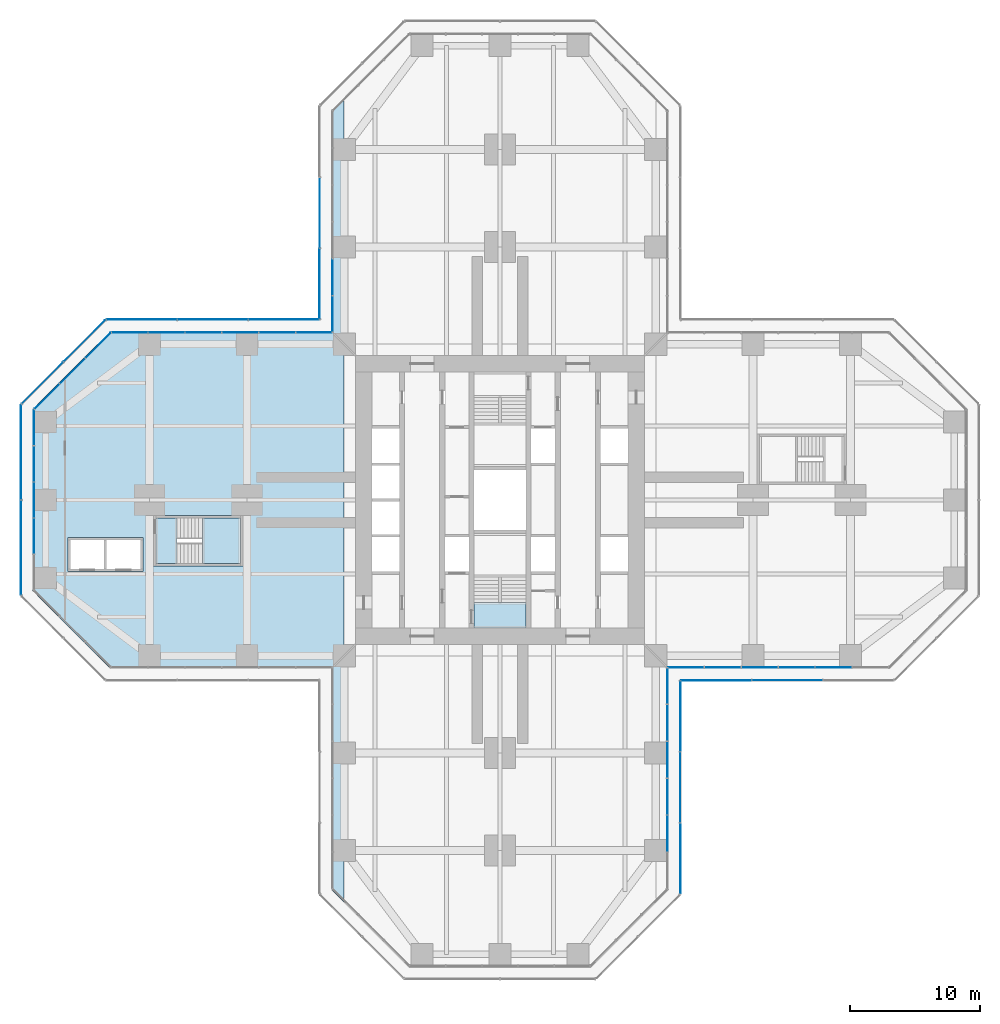
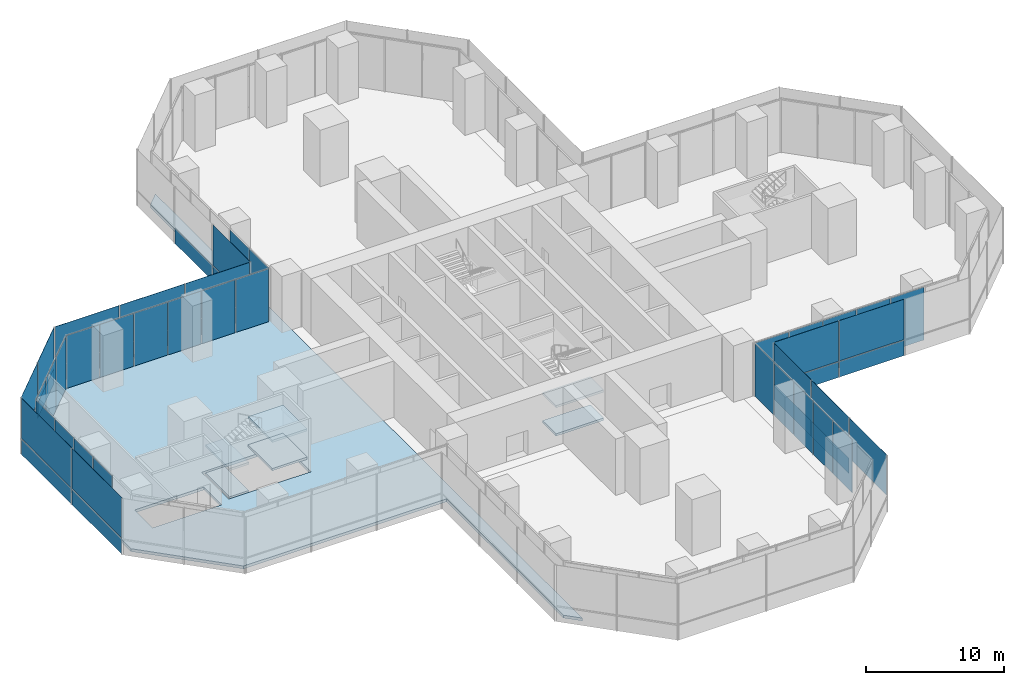
# One storey, part 14 of 23: 51 plates, 7 slabs, 14 elements without a shape of their own.
"""IFC4 building model written with IfcOpenShell, lengths in metres."""

from ifc_helpers import new_model, si_unit, direction, frame, origin, origin_2d, place, context, subcontext, project, spatial, polyline, rectangle, outline, extrude, material, layer, layer_set, type_object, element, aggregate, save


model = new_model("IFC4")

# Units and contexts
model_context = context("Model", 3, precision=1e-05, world=origin(), true_north=direction((0.0, 1.0)))
body_context = subcontext(model_context, "Body", "Model", "MODEL_VIEW")
ifc_project = project(units=[si_unit("LENGTHUNIT", "METRE"), si_unit("AREAUNIT", "SQUARE_METRE"), si_unit("VOLUMEUNIT", "CUBIC_METRE"), si_unit("PLANEANGLEUNIT", "RADIAN"), si_unit("MASSUNIT", "GRAM", prefix="KILO")], contexts=[model_context])

# Site, building, storey
site_placement = place(None, origin())
site = spatial("IfcSite", under=ifc_project, at=site_placement, CompositionType="ELEMENT")
building_placement = place(site_placement, origin())
building = spatial("IfcBuilding", under=site, at=building_placement, Name="Mizan Broadcast Tower", CompositionType="ELEMENT")
storey_placement = place(building_placement, frame((0.0, 0.0, 23.0)))
storey = spatial("IfcBuildingStorey", under=building, at=storey_placement, Name="L03", CompositionType="ELEMENT", Elevation=23.0)

# Curtain wall, plates
ifc_material_1 = material(Name="Aluminium framed glazing", Category="aluminium")
curtain_wall_type_1 = type_object("IfcCurtainWallType", Name="OUTER SKIN", PredefinedType="USERDEFINED", material=ifc_material_1)
curtain_wall_1_placement = place(storey_placement, origin())
curtain_wall_1 = element("IfcCurtainWall", 1, at=curtain_wall_1_placement, inside=storey, type_object=curtain_wall_type_1, Name="Outer skin L03 E side", ObjectType="OUTER SKIN", PredefinedType="USERDEFINED")
ifc_material_2 = material(Name="Laminated clear glass", Category="glass")
ifc_layer_1 = layer(ifc_material_2, 0.02001953125)
ifc_layer_set_1 = layer_set([ifc_layer_1], Name="Laminated clear glass")
plate_type_1 = type_object("IfcPlateType", Name="OUTER SKIN CLEAR GLASS", PredefinedType="CURTAIN_PANEL", material=ifc_layer_set_1)
plate_1_placement = place(storey_placement, frame((16.66552734375, -13.89990234375, 0.0), z_axis=(0.0, 0.0, 1.0), x_axis=(1.0, 0.0, 0.0)))
plate_1 = element("IfcPlate", 2, at=plate_1_placement, type_object=plate_type_1, Name="Outer skin L03 E side panel 1.1", PredefinedType="CURTAIN_PANEL", context=body_context, shape_type="SweptSolid", body=[
    extrude(rectangle(XDim=5.370849609375, YDim=0.02001953125, at=origin_2d()), origin(), (0.0, 0.0, 1.0), 1.3701171875),
])
plate_2_placement = place(storey_placement, frame((16.66552734375, -13.89990234375, 1.43017578125), z_axis=(0.0, 0.0, 1.0), x_axis=(1.0, 0.0, 0.0)))
plate_2 = element("IfcPlate", 3, at=plate_2_placement, type_object=plate_type_1, Name="Outer skin L03 E side panel 1.2", PredefinedType="CURTAIN_PANEL", context=body_context, shape_type="SweptSolid", body=[
    extrude(rectangle(XDim=5.370849609375, YDim=0.02001953125, at=origin_2d()), origin(), (0.0, 0.0, 1.0), 3.570068359375),
])

curtain_wall_2_placement = place(storey_placement, origin())
curtain_wall_2 = element("IfcCurtainWall", 4, at=curtain_wall_2_placement, inside=storey, type_object=curtain_wall_type_1, Name="Outer skin L03 N side", ObjectType="OUTER SKIN", PredefinedType="USERDEFINED")
plate_3_placement = place(storey_placement, frame((-13.89990234375, 16.66552734375, 0.0), z_axis=(0.0, 0.0, 1.0), x_axis=(0.0, -1.0, 0.0)))
plate_3 = element("IfcPlate", 5, at=plate_3_placement, type_object=plate_type_1, Name="Outer skin L03 N side panel 3.1", PredefinedType="CURTAIN_PANEL", context=body_context, shape_type="SweptSolid", body=[
    extrude(rectangle(XDim=5.370849609375, YDim=0.02001953125, at=origin_2d()), origin(), (0.0, 0.0, 1.0), 1.3701171875),
])
plate_4_placement = place(storey_placement, frame((-13.89990234375, 16.66552734375, 1.43017578125), z_axis=(0.0, 0.0, 1.0), x_axis=(0.0, -1.0, 0.0)))
plate_4 = element("IfcPlate", 6, at=plate_4_placement, type_object=plate_type_1, Name="Outer skin L03 N side panel 3.2", PredefinedType="CURTAIN_PANEL", context=body_context, shape_type="SweptSolid", body=[
    extrude(rectangle(XDim=5.370849609375, YDim=0.02001953125, at=origin_2d()), origin(), (0.0, 0.0, 1.0), 3.570068359375),
])

curtain_wall_3_placement = place(storey_placement, origin())
curtain_wall_3 = element("IfcCurtainWall", 7, at=curtain_wall_3_placement, inside=storey, type_object=curtain_wall_type_1, Name="Outer skin L03 W side", ObjectType="OUTER SKIN", PredefinedType="USERDEFINED")
plate_5_placement = place(storey_placement, frame((-16.66552734375, 13.89990234375, 0.0), z_axis=(0.0, 0.0, 1.0), x_axis=(-1.0, 0.0, 0.0)))
plate_5 = element("IfcPlate", 8, at=plate_5_placement, type_object=plate_type_1, Name="Outer skin L03 W side panel 1.1", PredefinedType="CURTAIN_PANEL", context=body_context, shape_type="SweptSolid", body=[
    extrude(rectangle(XDim=5.370849609375, YDim=0.02001953125, at=origin_2d()), origin(), (0.0, 0.0, 1.0), 1.3701171875),
])
plate_6_placement = place(storey_placement, frame((-16.66552734375, 13.89990234375, 1.43017578125), z_axis=(0.0, 0.0, 1.0), x_axis=(-1.0, 0.0, 0.0)))
plate_6 = element("IfcPlate", 9, at=plate_6_placement, type_object=plate_type_1, Name="Outer skin L03 W side panel 1.2", PredefinedType="CURTAIN_PANEL", context=body_context, shape_type="SweptSolid", body=[
    extrude(rectangle(XDim=5.370849609375, YDim=0.02001953125, at=origin_2d()), origin(), (0.0, 0.0, 1.0), 3.570068359375),
])
plate_7_placement = place(storey_placement, frame((-22.136474609375, 13.89990234375, 0.0), z_axis=(0.0, 0.0, 1.0), x_axis=(-1.0, 0.0, 0.0)))
plate_7 = element("IfcPlate", 10, at=plate_7_placement, type_object=plate_type_1, Name="Outer skin L03 W side panel 2.1", PredefinedType="CURTAIN_PANEL", context=body_context, shape_type="SweptSolid", body=[
    extrude(rectangle(XDim=5.410888671875, YDim=0.02001953125, at=origin_2d()), origin(), (0.0, 0.0, 1.0), 1.3701171875),
])
plate_8_placement = place(storey_placement, frame((-22.136474609375, 13.89990234375, 1.43017578125), z_axis=(0.0, 0.0, 1.0), x_axis=(-1.0, 0.0, 0.0)))
plate_8 = element("IfcPlate", 11, at=plate_8_placement, type_object=plate_type_1, Name="Outer skin L03 W side panel 2.2", PredefinedType="CURTAIN_PANEL", context=body_context, shape_type="SweptSolid", body=[
    extrude(rectangle(XDim=5.410888671875, YDim=0.02001953125, at=origin_2d()), origin(), (0.0, 0.0, 1.0), 3.570068359375),
])
plate_9_placement = place(storey_placement, frame((-27.607421875, 13.89990234375, 0.0), z_axis=(0.0, 0.0, 1.0), x_axis=(-1.0, 0.0, 0.0)))
plate_9 = element("IfcPlate", 12, at=plate_9_placement, type_object=plate_type_1, Name="Outer skin L03 W side panel 3.1", PredefinedType="CURTAIN_PANEL", context=body_context, shape_type="SweptSolid", body=[
    extrude(rectangle(XDim=5.370849609375, YDim=0.02001953125, at=origin_2d()), origin(), (0.0, 0.0, 1.0), 1.3701171875),
])
plate_10_placement = place(storey_placement, frame((-27.607421875, 13.89990234375, 1.43017578125), z_axis=(0.0, 0.0, 1.0), x_axis=(-1.0, 0.0, 0.0)))
plate_10 = element("IfcPlate", 13, at=plate_10_placement, type_object=plate_type_1, Name="Outer skin L03 W side panel 3.2", PredefinedType="CURTAIN_PANEL", context=body_context, shape_type="SweptSolid", body=[
    extrude(rectangle(XDim=5.370849609375, YDim=0.02001953125, at=origin_2d()), origin(), (0.0, 0.0, 1.0), 3.570068359375),
])
aggregate(curtain_wall_3, [plate_5, plate_6, plate_7, plate_8, plate_9, plate_10])

curtain_wall_4_placement = place(storey_placement, origin())
curtain_wall_4 = element("IfcCurtainWall", 14, at=curtain_wall_4_placement, inside=storey, type_object=curtain_wall_type_1, Name="Outer skin L03 W chamfer", ObjectType="OUTER SKIN", PredefinedType="USERDEFINED")
plate_11_placement = place(storey_placement, frame((-32.018798828125, 12.254150390625, 0.0), z_axis=(0.0, 0.0, 1.0), x_axis=(-0.707106781187, -0.707106781187, 0.0)))
plate_11 = element("IfcPlate", 15, at=plate_11_placement, type_object=plate_type_1, Name="Outer skin L03 W chamfer panel 1.1", PredefinedType="CURTAIN_PANEL", context=body_context, shape_type="SweptSolid", body=[
    extrude(rectangle(XDim=4.495361328125, YDim=0.02001953125, at=origin_2d()), origin(), (0.0, 0.0, 1.0), 1.3701171875),
])
plate_12_placement = place(storey_placement, frame((-32.018798828125, 12.254150390625, 1.43017578125), z_axis=(0.0, 0.0, 1.0), x_axis=(-0.707106781187, -0.707106781187, 0.0)))
plate_12 = element("IfcPlate", 16, at=plate_12_placement, type_object=plate_type_1, Name="Outer skin L03 W chamfer panel 1.2", PredefinedType="CURTAIN_PANEL", context=body_context, shape_type="SweptSolid", body=[
    extrude(rectangle(XDim=4.495361328125, YDim=0.02001953125, at=origin_2d()), origin(), (0.0, 0.0, 1.0), 3.570068359375),
])

curtain_wall_5_placement = place(storey_placement, origin())
curtain_wall_5 = element("IfcCurtainWall", 17, at=curtain_wall_5_placement, inside=storey, type_object=curtain_wall_type_1, Name="Outer skin L03 W end", ObjectType="OUTER SKIN", PredefinedType="USERDEFINED")
plate_13_placement = place(storey_placement, frame((-36.89990234375, 3.66650390625, 0.0), z_axis=(0.0, 0.0, 1.0), x_axis=(0.0, -1.0, 0.0)))
plate_13 = element("IfcPlate", 18, at=plate_13_placement, type_object=plate_type_1, Name="Outer skin L03 W end panel 1.1", PredefinedType="CURTAIN_PANEL", context=body_context, shape_type="SweptSolid", body=[
    extrude(rectangle(XDim=7.252685546875, YDim=0.02001953125, at=origin_2d()), origin(), (0.0, 0.0, 1.0), 1.3701171875),
])
plate_14_placement = place(storey_placement, frame((-36.89990234375, 3.66650390625, 1.43017578125), z_axis=(0.0, 0.0, 1.0), x_axis=(0.0, -1.0, 0.0)))
plate_14 = element("IfcPlate", 19, at=plate_14_placement, type_object=plate_type_1, Name="Outer skin L03 W end panel 1.2", PredefinedType="CURTAIN_PANEL", context=body_context, shape_type="SweptSolid", body=[
    extrude(rectangle(XDim=7.252685546875, YDim=0.02001953125, at=origin_2d()), origin(), (0.0, 0.0, 1.0), 3.570068359375),
])

curtain_wall_6_placement = place(storey_placement, origin())
curtain_wall_6 = element("IfcCurtainWall", 20, at=curtain_wall_6_placement, inside=storey, type_object=curtain_wall_type_1, Name="Outer skin L03 S side", ObjectType="OUTER SKIN", PredefinedType="USERDEFINED")
plate_15_placement = place(storey_placement, frame((13.89990234375, -27.607421875, 1.43017578125), z_axis=(0.0, 0.0, 1.0), x_axis=(0.0, 1.0, 0.0)))
plate_15 = element("IfcPlate", 21, at=plate_15_placement, type_object=plate_type_1, Name="Outer skin L03 S side panel 1.2", PredefinedType="CURTAIN_PANEL", context=body_context, shape_type="SweptSolid", body=[
    extrude(rectangle(XDim=5.370849609375, YDim=0.02001953125, at=origin_2d()), origin(), (0.0, 0.0, 1.0), 3.570068359375),
])
plate_16_placement = place(storey_placement, frame((13.89990234375, -16.66552734375, 0.0), z_axis=(0.0, 0.0, 1.0), x_axis=(0.0, 1.0, 0.0)))
plate_16 = element("IfcPlate", 22, at=plate_16_placement, type_object=plate_type_1, Name="Outer skin L03 S side panel 3.1", PredefinedType="CURTAIN_PANEL", context=body_context, shape_type="SweptSolid", body=[
    extrude(rectangle(XDim=5.370849609375, YDim=0.02001953125, at=origin_2d()), origin(), (0.0, 0.0, 1.0), 1.3701171875),
])
plate_17_placement = place(storey_placement, frame((13.89990234375, -16.66552734375, 1.43017578125), z_axis=(0.0, 0.0, 1.0), x_axis=(0.0, 1.0, 0.0)))
plate_17 = element("IfcPlate", 23, at=plate_17_placement, type_object=plate_type_1, Name="Outer skin L03 S side panel 3.2", PredefinedType="CURTAIN_PANEL", context=body_context, shape_type="SweptSolid", body=[
    extrude(rectangle(XDim=5.370849609375, YDim=0.02001953125, at=origin_2d()), origin(), (0.0, 0.0, 1.0), 3.570068359375),
])

# Plate
ifc_material_3 = material(Name="Perforated aluminium, pale anodised", Category="aluminium")
ifc_layer_2 = layer(ifc_material_3, 0.011962890625)
ifc_layer_set_2 = layer_set([ifc_layer_2], Name="Perforated aluminium, pale anodised")
plate_type_2 = type_object("IfcPlateType", Name="OUTER SKIN PERFORATED SCREEN", PredefinedType="USERDEFINED", material=ifc_layer_set_2)
plate_18_placement = place(storey_placement, frame((22.136474609375, -13.89990234375, 0.0), z_axis=(0.0, 0.0, 1.0), x_axis=(1.0, 0.0, 0.0)))
plate_18 = element("IfcPlate", 24, at=plate_18_placement, type_object=plate_type_2, Name="Outer skin L03 E side panel 2.1", ObjectType="SCREEN", PredefinedType="USERDEFINED", context=body_context, shape_type="SweptSolid", body=[
    extrude(rectangle(XDim=5.410888671875, YDim=0.011962890625, at=origin_2d()), origin(), (0.0, 0.0, 1.0), 1.3701171875),
])

plate_19_placement = place(storey_placement, frame((22.136474609375, -13.89990234375, 1.43017578125), z_axis=(0.0, 0.0, 1.0), x_axis=(1.0, 0.0, 0.0)))
plate_19 = element("IfcPlate", 25, at=plate_19_placement, type_object=plate_type_2, Name="Outer skin L03 E side panel 2.2", ObjectType="SCREEN", PredefinedType="USERDEFINED", context=body_context, shape_type="SweptSolid", body=[
    extrude(rectangle(XDim=5.410888671875, YDim=0.011962890625, at=origin_2d()), origin(), (0.0, 0.0, 1.0), 3.570068359375),
])

aggregate(curtain_wall_1, [plate_1, plate_2, plate_18, plate_19])

plate_20_placement = place(storey_placement, frame((-13.89990234375, 22.136474609375, 0.0), z_axis=(0.0, 0.0, 1.0), x_axis=(0.0, -1.0, 0.0)))
plate_20 = element("IfcPlate", 26, at=plate_20_placement, type_object=plate_type_2, Name="Outer skin L03 N side panel 2.1", ObjectType="SCREEN", PredefinedType="USERDEFINED", context=body_context, shape_type="SweptSolid", body=[
    extrude(rectangle(XDim=5.410888671875, YDim=0.011962890625, at=origin_2d()), origin(), (0.0, 0.0, 1.0), 1.3701171875),
])

aggregate(curtain_wall_2, [plate_20, plate_3, plate_4])

plate_21_placement = place(storey_placement, frame((-35.254150390625, 9.018798828125, 0.0), z_axis=(0.0, 0.0, 1.0), x_axis=(-0.707106781187, -0.707106781187, 0.0)))
plate_21 = element("IfcPlate", 27, at=plate_21_placement, type_object=plate_type_2, Name="Outer skin L03 W chamfer panel 2.1", ObjectType="SCREEN", PredefinedType="USERDEFINED", context=body_context, shape_type="SweptSolid", body=[
    extrude(rectangle(XDim=4.495361328125, YDim=0.011962890625, at=origin_2d()), origin(), (0.0, 0.0, 1.0), 1.3701171875),
])

plate_22_placement = place(storey_placement, frame((-35.254150390625, 9.018798828125, 1.43017578125), z_axis=(0.0, 0.0, 1.0), x_axis=(-0.707106781187, -0.707106781187, 0.0)))
plate_22 = element("IfcPlate", 28, at=plate_22_placement, type_object=plate_type_2, Name="Outer skin L03 W chamfer panel 2.2", ObjectType="SCREEN", PredefinedType="USERDEFINED", context=body_context, shape_type="SweptSolid", body=[
    extrude(rectangle(XDim=4.495361328125, YDim=0.011962890625, at=origin_2d()), origin(), (0.0, 0.0, 1.0), 3.570068359375),
])

aggregate(curtain_wall_4, [plate_11, plate_12, plate_21, plate_22])

plate_23_placement = place(storey_placement, frame((-36.89990234375, -3.66650390625, 0.0), z_axis=(0.0, 0.0, 1.0), x_axis=(0.0, -1.0, 0.0)))
plate_23 = element("IfcPlate", 29, at=plate_23_placement, type_object=plate_type_2, Name="Outer skin L03 W end panel 2.1", ObjectType="SCREEN", PredefinedType="USERDEFINED", context=body_context, shape_type="SweptSolid", body=[
    extrude(rectangle(XDim=7.252685546875, YDim=0.011962890625, at=origin_2d()), origin(), (0.0, 0.0, 1.0), 1.3701171875),
])

plate_24_placement = place(storey_placement, frame((-36.89990234375, -3.66650390625, 1.43017578125), z_axis=(0.0, 0.0, 1.0), x_axis=(0.0, -1.0, 0.0)))
plate_24 = element("IfcPlate", 30, at=plate_24_placement, type_object=plate_type_2, Name="Outer skin L03 W end panel 2.2", ObjectType="SCREEN", PredefinedType="USERDEFINED", context=body_context, shape_type="SweptSolid", body=[
    extrude(rectangle(XDim=7.252685546875, YDim=0.011962890625, at=origin_2d()), origin(), (0.0, 0.0, 1.0), 3.570068359375),
])

aggregate(curtain_wall_5, [plate_13, plate_14, plate_23, plate_24])

plate_25_placement = place(storey_placement, frame((13.89990234375, -22.136474609375, 0.0), z_axis=(0.0, 0.0, 1.0), x_axis=(0.0, 1.0, 0.0)))
plate_25 = element("IfcPlate", 31, at=plate_25_placement, type_object=plate_type_2, Name="Outer skin L03 S side panel 2.1", ObjectType="SCREEN", PredefinedType="USERDEFINED", context=body_context, shape_type="SweptSolid", body=[
    extrude(rectangle(XDim=5.410888671875, YDim=0.011962890625, at=origin_2d()), origin(), (0.0, 0.0, 1.0), 1.3701171875),
])

plate_26_placement = place(storey_placement, frame((13.89990234375, -22.136474609375, 1.43017578125), z_axis=(0.0, 0.0, 1.0), x_axis=(0.0, 1.0, 0.0)))
plate_26 = element("IfcPlate", 32, at=plate_26_placement, type_object=plate_type_2, Name="Outer skin L03 S side panel 2.2", ObjectType="SCREEN", PredefinedType="USERDEFINED", context=body_context, shape_type="SweptSolid", body=[
    extrude(rectangle(XDim=5.410888671875, YDim=0.011962890625, at=origin_2d()), origin(), (0.0, 0.0, 1.0), 3.570068359375),
])

aggregate(curtain_wall_6, [plate_15, plate_25, plate_26, plate_16, plate_17])

# Curtain wall, plates
ifc_material_4 = material(Name="Aluminium framed glazing", Category="aluminium")
curtain_wall_type_2 = type_object("IfcCurtainWallType", Name="PODIUM CURTAIN WALL", PredefinedType="USERDEFINED", material=ifc_material_4)
curtain_wall_7_placement = place(storey_placement, origin())
curtain_wall_7 = element("IfcCurtainWall", 33, at=curtain_wall_7_placement, inside=storey, type_object=curtain_wall_type_2, Name="Podium curtain wall L03 E side", ObjectType="PODIUM CURTAIN WALL", PredefinedType="USERDEFINED")
ifc_material_5 = material(Name="Double glazing, clear laminated", Category="glass")
ifc_layer_3 = layer(ifc_material_5, 0.031982421875)
ifc_layer_set_3 = layer_set([ifc_layer_3], Name="Double glazing, clear laminated")
plate_type_3 = type_object("IfcPlateType", Name="PODIUM GLAZING UNIT", PredefinedType="CURTAIN_PANEL", material=ifc_layer_set_3)
plate_27_placement = place(storey_placement, frame((14.336669921875, -12.89990234375, 0.0), z_axis=(0.0, 0.0, 1.0), x_axis=(1.0, 0.0, 0.0)))
plate_27 = element("IfcPlate", 34, at=plate_27_placement, type_object=plate_type_3, Name="Podium curtain wall L03 E side panel 1.1", PredefinedType="CURTAIN_PANEL", context=body_context, shape_type="SweptSolid", body=[
    extrude(rectangle(XDim=2.753173828125, YDim=0.031982421875, at=origin_2d()), origin(), (0.0, 0.0, 1.0), 4.68994140625),
])
plate_28_placement = place(storey_placement, frame((17.16455078125, -12.89990234375, 0.0), z_axis=(0.0, 0.0, 1.0), x_axis=(1.0, 0.0, 0.0)))
plate_28 = element("IfcPlate", 35, at=plate_28_placement, type_object=plate_type_3, Name="Podium curtain wall L03 E side panel 2.1", PredefinedType="CURTAIN_PANEL", context=body_context, shape_type="SweptSolid", body=[
    extrude(rectangle(XDim=2.783203125, YDim=0.031982421875, at=origin_2d()), origin(), (0.0, 0.0, 1.0), 4.68994140625),
])
plate_29_placement = place(storey_placement, frame((20.0078125, -12.89990234375, 0.0), z_axis=(0.0, 0.0, 1.0), x_axis=(1.0, 0.0, 0.0)))
plate_29 = element("IfcPlate", 36, at=plate_29_placement, type_object=plate_type_3, Name="Podium curtain wall L03 E side panel 3.1", PredefinedType="CURTAIN_PANEL", context=body_context, shape_type="SweptSolid", body=[
    extrude(rectangle(XDim=2.783203125, YDim=0.031982421875, at=origin_2d()), origin(), (0.0, 0.0, 1.0), 4.68994140625),
])
plate_30_placement = place(storey_placement, frame((22.850830078125, -12.89990234375, 0.0), z_axis=(0.0, 0.0, 1.0), x_axis=(1.0, 0.0, 0.0)))
plate_30 = element("IfcPlate", 37, at=plate_30_placement, type_object=plate_type_3, Name="Podium curtain wall L03 E side panel 4.1", PredefinedType="CURTAIN_PANEL", context=body_context, shape_type="SweptSolid", body=[
    extrude(rectangle(XDim=2.783203125, YDim=0.031982421875, at=origin_2d()), origin(), (0.0, 0.0, 1.0), 4.68994140625),
])
plate_31_placement = place(storey_placement, frame((25.69384765625, -12.89990234375, 0.0), z_axis=(0.0, 0.0, 1.0), x_axis=(1.0, 0.0, 0.0)))
plate_31 = element("IfcPlate", 38, at=plate_31_placement, type_object=plate_type_3, Name="Podium curtain wall L03 E side panel 5.1", PredefinedType="CURTAIN_PANEL", context=body_context, shape_type="SweptSolid", body=[
    extrude(rectangle(XDim=2.783203125, YDim=0.031982421875, at=origin_2d()), origin(), (0.0, 0.0, 1.0), 4.68994140625),
])
aggregate(curtain_wall_7, [plate_27, plate_28, plate_29, plate_30, plate_31])

curtain_wall_8_placement = place(storey_placement, origin())
curtain_wall_8 = element("IfcCurtainWall", 39, at=curtain_wall_8_placement, inside=storey, type_object=curtain_wall_type_2, Name="Podium curtain wall L03 N side", ObjectType="PODIUM CURTAIN WALL", PredefinedType="USERDEFINED")
plate_32_placement = place(storey_placement, frame((-12.89990234375, 17.16455078125, 0.0), z_axis=(0.0, 0.0, 1.0), x_axis=(0.0, -1.0, 0.0)))
plate_32 = element("IfcPlate", 40, at=plate_32_placement, type_object=plate_type_3, Name="Podium curtain wall L03 N side panel 5.1", PredefinedType="CURTAIN_PANEL", context=body_context, shape_type="SweptSolid", body=[
    extrude(rectangle(XDim=2.783203125, YDim=0.031982421875, at=origin_2d()), origin(), (0.0, 0.0, 1.0), 4.68994140625),
])
plate_33_placement = place(storey_placement, frame((-12.89990234375, 14.336669921875, 0.0), z_axis=(0.0, 0.0, 1.0), x_axis=(0.0, -1.0, 0.0)))
plate_33 = element("IfcPlate", 41, at=plate_33_placement, type_object=plate_type_3, Name="Podium curtain wall L03 N side panel 6.1", PredefinedType="CURTAIN_PANEL", context=body_context, shape_type="SweptSolid", body=[
    extrude(rectangle(XDim=2.753173828125, YDim=0.031982421875, at=origin_2d()), origin(), (0.0, 0.0, 1.0), 4.68994140625),
])
aggregate(curtain_wall_8, [plate_32, plate_33])

curtain_wall_9_placement = place(storey_placement, origin())
curtain_wall_9 = element("IfcCurtainWall", 42, at=curtain_wall_9_placement, inside=storey, type_object=curtain_wall_type_2, Name="Podium curtain wall L03 W side", ObjectType="PODIUM CURTAIN WALL", PredefinedType="USERDEFINED")
plate_34_placement = place(storey_placement, frame((-14.336669921875, 12.89990234375, 0.0), z_axis=(0.0, 0.0, 1.0), x_axis=(-1.0, 0.0, 0.0)))
plate_34 = element("IfcPlate", 43, at=plate_34_placement, type_object=plate_type_3, Name="Podium curtain wall L03 W side panel 1.1", PredefinedType="CURTAIN_PANEL", context=body_context, shape_type="SweptSolid", body=[
    extrude(rectangle(XDim=2.753173828125, YDim=0.031982421875, at=origin_2d()), origin(), (0.0, 0.0, 1.0), 4.68994140625),
])
plate_35_placement = place(storey_placement, frame((-17.16455078125, 12.89990234375, 0.0), z_axis=(0.0, 0.0, 1.0), x_axis=(-1.0, 0.0, 0.0)))
plate_35 = element("IfcPlate", 44, at=plate_35_placement, type_object=plate_type_3, Name="Podium curtain wall L03 W side panel 2.1", PredefinedType="CURTAIN_PANEL", context=body_context, shape_type="SweptSolid", body=[
    extrude(rectangle(XDim=2.783203125, YDim=0.031982421875, at=origin_2d()), origin(), (0.0, 0.0, 1.0), 4.68994140625),
])
plate_36_placement = place(storey_placement, frame((-20.0078125, 12.89990234375, 0.0), z_axis=(0.0, 0.0, 1.0), x_axis=(-1.0, 0.0, 0.0)))
plate_36 = element("IfcPlate", 45, at=plate_36_placement, type_object=plate_type_3, Name="Podium curtain wall L03 W side panel 3.1", PredefinedType="CURTAIN_PANEL", context=body_context, shape_type="SweptSolid", body=[
    extrude(rectangle(XDim=2.783203125, YDim=0.031982421875, at=origin_2d()), origin(), (0.0, 0.0, 1.0), 4.68994140625),
])
plate_37_placement = place(storey_placement, frame((-22.850830078125, 12.89990234375, 0.0), z_axis=(0.0, 0.0, 1.0), x_axis=(-1.0, 0.0, 0.0)))
plate_37 = element("IfcPlate", 46, at=plate_37_placement, type_object=plate_type_3, Name="Podium curtain wall L03 W side panel 4.1", PredefinedType="CURTAIN_PANEL", context=body_context, shape_type="SweptSolid", body=[
    extrude(rectangle(XDim=2.783203125, YDim=0.031982421875, at=origin_2d()), origin(), (0.0, 0.0, 1.0), 4.68994140625),
])
plate_38_placement = place(storey_placement, frame((-25.69384765625, 12.89990234375, 0.0), z_axis=(0.0, 0.0, 1.0), x_axis=(-1.0, 0.0, 0.0)))
plate_38 = element("IfcPlate", 47, at=plate_38_placement, type_object=plate_type_3, Name="Podium curtain wall L03 W side panel 5.1", PredefinedType="CURTAIN_PANEL", context=body_context, shape_type="SweptSolid", body=[
    extrude(rectangle(XDim=2.783203125, YDim=0.031982421875, at=origin_2d()), origin(), (0.0, 0.0, 1.0), 4.68994140625),
])
plate_39_placement = place(storey_placement, frame((-28.52197265625, 12.89990234375, 0.0), z_axis=(0.0, 0.0, 1.0), x_axis=(-1.0, 0.0, 0.0)))
plate_39 = element("IfcPlate", 48, at=plate_39_placement, type_object=plate_type_3, Name="Podium curtain wall L03 W side panel 6.1", PredefinedType="CURTAIN_PANEL", context=body_context, shape_type="SweptSolid", body=[
    extrude(rectangle(XDim=2.753173828125, YDim=0.031982421875, at=origin_2d()), origin(), (0.0, 0.0, 1.0), 4.68994140625),
])
aggregate(curtain_wall_9, [plate_34, plate_35, plate_36, plate_37, plate_38, plate_39])

curtain_wall_10_placement = place(storey_placement, origin())
curtain_wall_10 = element("IfcCurtainWall", 49, at=curtain_wall_10_placement, inside=storey, type_object=curtain_wall_type_2, Name="Podium curtain wall L03 W chamfer", ObjectType="PODIUM CURTAIN WALL", PredefinedType="USERDEFINED")
plate_40_placement = place(storey_placement, frame((-30.95947265625, 11.899169921875, 0.0), z_axis=(0.0, 0.0, 1.0), x_axis=(-0.707106781187, -0.707106781187, 0.0)))
plate_40 = element("IfcPlate", 50, at=plate_40_placement, type_object=plate_type_3, Name="Podium curtain wall L03 W chamfer panel 1.1", PredefinedType="CURTAIN_PANEL", context=body_context, shape_type="SweptSolid", body=[
    extrude(rectangle(XDim=2.710693359375, YDim=0.031982421875, at=origin_2d()), origin(), (0.0, 0.0, 1.0), 4.68994140625),
])
plate_41_placement = place(storey_placement, frame((-32.92919921875, 9.92919921875, 0.0), z_axis=(0.0, 0.0, 1.0), x_axis=(-0.707106781187, -0.707106781187, 0.0)))
plate_41 = element("IfcPlate", 51, at=plate_41_placement, type_object=plate_type_3, Name="Podium curtain wall L03 W chamfer panel 2.1", PredefinedType="CURTAIN_PANEL", context=body_context, shape_type="SweptSolid", body=[
    extrude(rectangle(XDim=2.74072265625, YDim=0.031982421875, at=origin_2d()), origin(), (0.0, 0.0, 1.0), 4.68994140625),
])
plate_42_placement = place(storey_placement, frame((-34.899169921875, 7.95947265625, 0.0), z_axis=(0.0, 0.0, 1.0), x_axis=(-0.707106781187, -0.707106781187, 0.0)))
plate_42 = element("IfcPlate", 52, at=plate_42_placement, type_object=plate_type_3, Name="Podium curtain wall L03 W chamfer panel 3.1", PredefinedType="CURTAIN_PANEL", context=body_context, shape_type="SweptSolid", body=[
    extrude(rectangle(XDim=2.710693359375, YDim=0.031982421875, at=origin_2d()), origin(), (0.0, 0.0, 1.0), 4.68994140625),
])
aggregate(curtain_wall_10, [plate_40, plate_41, plate_42])

curtain_wall_11_placement = place(storey_placement, origin())
curtain_wall_11 = element("IfcCurtainWall", 53, at=curtain_wall_11_placement, inside=storey, type_object=curtain_wall_type_2, Name="Podium curtain wall L03 W end", ObjectType="PODIUM CURTAIN WALL", PredefinedType="USERDEFINED")
plate_43_placement = place(storey_placement, frame((-35.89990234375, 5.5517578125, 0.0), z_axis=(0.0, 0.0, 1.0), x_axis=(0.0, -1.0, 0.0)))
plate_43 = element("IfcPlate", 54, at=plate_43_placement, type_object=plate_type_3, Name="Podium curtain wall L03 W end panel 1.1", PredefinedType="CURTAIN_PANEL", context=body_context, shape_type="SweptSolid", body=[
    extrude(rectangle(XDim=2.693359375, YDim=0.031982421875, at=origin_2d()), origin(), (0.0, 0.0, 1.0), 4.68994140625),
])
plate_44_placement = place(storey_placement, frame((-35.89990234375, 2.783447265625, 0.0), z_axis=(0.0, 0.0, 1.0), x_axis=(0.0, -1.0, 0.0)))
plate_44 = element("IfcPlate", 55, at=plate_44_placement, type_object=plate_type_3, Name="Podium curtain wall L03 W end panel 2.1", PredefinedType="CURTAIN_PANEL", context=body_context, shape_type="SweptSolid", body=[
    extrude(rectangle(XDim=2.723388671875, YDim=0.031982421875, at=origin_2d()), origin(), (0.0, 0.0, 1.0), 4.68994140625),
])
plate_45_placement = place(storey_placement, frame((-35.89990234375, 0.0, 0.0), z_axis=(0.0, 0.0, 1.0), x_axis=(0.0, -1.0, 0.0)))
plate_45 = element("IfcPlate", 56, at=plate_45_placement, type_object=plate_type_3, Name="Podium curtain wall L03 W end panel 3.1", PredefinedType="CURTAIN_PANEL", context=body_context, shape_type="SweptSolid", body=[
    extrude(rectangle(XDim=2.723388671875, YDim=0.031982421875, at=origin_2d()), origin(), (0.0, 0.0, 1.0), 4.68994140625),
])
plate_46_placement = place(storey_placement, frame((-35.89990234375, -2.783447265625, 0.0), z_axis=(0.0, 0.0, 1.0), x_axis=(0.0, -1.0, 0.0)))
plate_46 = element("IfcPlate", 57, at=plate_46_placement, type_object=plate_type_3, Name="Podium curtain wall L03 W end panel 4.1", PredefinedType="CURTAIN_PANEL", context=body_context, shape_type="SweptSolid", body=[
    extrude(rectangle(XDim=2.723388671875, YDim=0.031982421875, at=origin_2d()), origin(), (0.0, 0.0, 1.0), 4.68994140625),
])
aggregate(curtain_wall_11, [plate_43, plate_44, plate_45, plate_46])

curtain_wall_12_placement = place(storey_placement, origin())
curtain_wall_12 = element("IfcCurtainWall", 58, at=curtain_wall_12_placement, inside=storey, type_object=curtain_wall_type_2, Name="Podium curtain wall L03 S side", ObjectType="PODIUM CURTAIN WALL", PredefinedType="USERDEFINED")
plate_47_placement = place(storey_placement, frame((12.89990234375, -25.69384765625, 0.0), z_axis=(0.0, 0.0, 1.0), x_axis=(0.0, 1.0, 0.0)))
plate_47 = element("IfcPlate", 59, at=plate_47_placement, type_object=plate_type_3, Name="Podium curtain wall L03 S side panel 2.1", PredefinedType="CURTAIN_PANEL", context=body_context, shape_type="SweptSolid", body=[
    extrude(rectangle(XDim=2.783203125, YDim=0.031982421875, at=origin_2d()), origin(), (0.0, 0.0, 1.0), 4.68994140625),
])
plate_48_placement = place(storey_placement, frame((12.89990234375, -22.850830078125, 0.0), z_axis=(0.0, 0.0, 1.0), x_axis=(0.0, 1.0, 0.0)))
plate_48 = element("IfcPlate", 60, at=plate_48_placement, type_object=plate_type_3, Name="Podium curtain wall L03 S side panel 3.1", PredefinedType="CURTAIN_PANEL", context=body_context, shape_type="SweptSolid", body=[
    extrude(rectangle(XDim=2.783203125, YDim=0.031982421875, at=origin_2d()), origin(), (0.0, 0.0, 1.0), 4.68994140625),
])
plate_49_placement = place(storey_placement, frame((12.89990234375, -20.0078125, 0.0), z_axis=(0.0, 0.0, 1.0), x_axis=(0.0, 1.0, 0.0)))
plate_49 = element("IfcPlate", 61, at=plate_49_placement, type_object=plate_type_3, Name="Podium curtain wall L03 S side panel 4.1", PredefinedType="CURTAIN_PANEL", context=body_context, shape_type="SweptSolid", body=[
    extrude(rectangle(XDim=2.783203125, YDim=0.031982421875, at=origin_2d()), origin(), (0.0, 0.0, 1.0), 4.68994140625),
])
plate_50_placement = place(storey_placement, frame((12.89990234375, -17.16455078125, 0.0), z_axis=(0.0, 0.0, 1.0), x_axis=(0.0, 1.0, 0.0)))
plate_50 = element("IfcPlate", 62, at=plate_50_placement, type_object=plate_type_3, Name="Podium curtain wall L03 S side panel 5.1", PredefinedType="CURTAIN_PANEL", context=body_context, shape_type="SweptSolid", body=[
    extrude(rectangle(XDim=2.783203125, YDim=0.031982421875, at=origin_2d()), origin(), (0.0, 0.0, 1.0), 4.68994140625),
])
plate_51_placement = place(storey_placement, frame((12.89990234375, -14.336669921875, 0.0), z_axis=(0.0, 0.0, 1.0), x_axis=(0.0, 1.0, 0.0)))
plate_51 = element("IfcPlate", 63, at=plate_51_placement, type_object=plate_type_3, Name="Podium curtain wall L03 S side panel 6.1", PredefinedType="CURTAIN_PANEL", context=body_context, shape_type="SweptSolid", body=[
    extrude(rectangle(XDim=2.753173828125, YDim=0.031982421875, at=origin_2d()), origin(), (0.0, 0.0, 1.0), 4.68994140625),
])
aggregate(curtain_wall_12, [plate_47, plate_48, plate_49, plate_50, plate_51])

# Slab
ifc_material_6 = material(Name="Concrete C40/50", Category="concrete")
ifc_layer_4 = layer(ifc_material_6, 0.25)
ifc_layer_set_4 = layer_set([ifc_layer_4], Name="Concrete C40/50")
slab_type_1 = type_object("IfcSlabType", Name="RC FLAT SLAB 250", PredefinedType="FLOOR", material=ifc_layer_set_4)
slab_1_placement = place(storey_placement, frame((0.0, 0.0, -0.25)))
element("IfcSlab", 64, at=slab_1_placement, inside=storey, type_object=slab_type_1, Name="Floor slab L03 west arm", PredefinedType="FLOOR", context=body_context, shape_type="SweptSolid", body=[
    extrude(outline(polyline([(-13.0, -13.0), (-13.0, -30.0), (-12.0, -31.0), (-12.0, 31.0), (-13.0, 30.0), (-13.0, 13.0), (-30.0, 13.0), (-36.0, 7.0), (-36.0, -7.0), (-30.0, -13.0), (-13.0, -13.0)]), holes=[polyline([(-19.800048828125, -5.10009765625), (-26.699951171875, -5.10009765625), (-26.699951171875, -1.199951171875), (-19.800048828125, -1.199951171875), (-19.800048828125, -5.10009765625)]), polyline([(-33.300048828125, -5.5), (-33.300048828125, -2.89990234375), (-27.5, -2.89990234375), (-27.5, -5.5), (-33.300048828125, -5.5)])]), origin(), (0.0, 0.0, 1.0), 0.25),
])

# Stair, slabs
ifc_material_7 = material(Name="Concrete C40/50", Category="concrete")
stair_type = type_object("IfcStairType", Name="EXIT STAIR", PredefinedType="HALF_TURN_STAIR", material=ifc_material_7)
stair_1_placement = place(storey_placement, origin())
stair_1 = element("IfcStair", 65, at=stair_1_placement, inside=storey, type_object=stair_type, Name="Stair A L03", PredefinedType="HALF_TURN_STAIR")
ifc_material_8 = material(Name="Concrete C40/50", Category="concrete")
ifc_layer_5 = layer(ifc_material_8, 0.199951171875)
ifc_layer_set_5 = layer_set([ifc_layer_5], Name="Concrete C40/50")
slab_type_2 = type_object("IfcSlabType", Name="STAIR LANDING 200", PredefinedType="LANDING", material=ifc_layer_set_5)
slab_2_placement = place(storey_placement, frame((0.0, 0.0, -0.199951171875)))
slab_2 = element("IfcSlab", 66, at=slab_2_placement, type_object=slab_type_2, Name="A landing 1", PredefinedType="LANDING", context=body_context, shape_type="SweptSolid", body=[
    extrude(outline(polyline([(-2.0, -9.85009765625), (-2.0, -7.89990234375), (2.0, -7.89990234375), (2.0, -9.85009765625), (-2.0, -9.85009765625)])), origin(), (0.0, 0.0, 1.0), 0.199951171875),
])
slab_3_placement = place(storey_placement, frame((0.0, 0.0, 2.300048828125)))
slab_3 = element("IfcSlab", 67, at=slab_3_placement, type_object=slab_type_2, Name="A landing 3", PredefinedType="LANDING", context=body_context, shape_type="SweptSolid", body=[
    extrude(outline(polyline([(-2.0, -9.85009765625), (-2.0, -7.89990234375), (2.0, -7.89990234375), (2.0, -9.85009765625), (-2.0, -9.85009765625)])), origin(), (0.0, 0.0, 1.0), 0.199951171875),
])
aggregate(stair_1, [slab_2, slab_3])

stair_2_placement = place(storey_placement, origin())
stair_2 = element("IfcStair", 68, at=stair_2_placement, inside=storey, type_object=stair_type, Name="Stair D L03", PredefinedType="HALF_TURN_STAIR")
slab_4_placement = place(storey_placement, frame((0.0, 0.0, -0.199951171875)))
slab_4 = element("IfcSlab", 69, at=slab_4_placement, type_object=slab_type_2, Name="D landing 1", PredefinedType="LANDING", context=body_context, shape_type="SweptSolid", body=[
    extrude(outline(polyline([(-26.5, -1.39990234375), (-24.889892578125, -1.39990234375), (-24.889892578125, -4.89990234375), (-26.5, -4.89990234375), (-26.5, -1.39990234375)])), origin(), (0.0, 0.0, 1.0), 0.199951171875),
])
slab_5_placement = place(storey_placement, frame((0.0, 0.0, 1.050048828125)))
slab_5 = element("IfcSlab", 70, at=slab_5_placement, type_object=slab_type_2, Name="D landing 2", PredefinedType="LANDING", context=body_context, shape_type="SweptSolid", body=[
    extrude(outline(polyline([(-22.929931640625, -1.39990234375), (-20.0, -1.39990234375), (-20.0, -4.89990234375), (-22.929931640625, -4.89990234375), (-22.929931640625, -1.39990234375)])), origin(), (0.0, 0.0, 1.0), 0.199951171875),
])
slab_6_placement = place(storey_placement, frame((0.0, 0.0, 2.300048828125)))
slab_6 = element("IfcSlab", 71, at=slab_6_placement, type_object=slab_type_2, Name="D landing 3", PredefinedType="LANDING", context=body_context, shape_type="SweptSolid", body=[
    extrude(outline(polyline([(-26.5, -1.39990234375), (-24.889892578125, -1.39990234375), (-24.889892578125, -4.89990234375), (-26.5, -4.89990234375), (-26.5, -1.39990234375)])), origin(), (0.0, 0.0, 1.0), 0.199951171875),
])
slab_7_placement = place(storey_placement, frame((0.0, 0.0, 3.550048828125)))
slab_7 = element("IfcSlab", 72, at=slab_7_placement, type_object=slab_type_2, Name="D landing 4", PredefinedType="LANDING", context=body_context, shape_type="SweptSolid", body=[
    extrude(outline(polyline([(-22.929931640625, -1.39990234375), (-20.0, -1.39990234375), (-20.0, -4.89990234375), (-22.929931640625, -4.89990234375), (-22.929931640625, -1.39990234375)])), origin(), (0.0, 0.0, 1.0), 0.199951171875),
])
aggregate(stair_2, [slab_4, slab_5, slab_6, slab_7])

save(model, "model.ifc")
